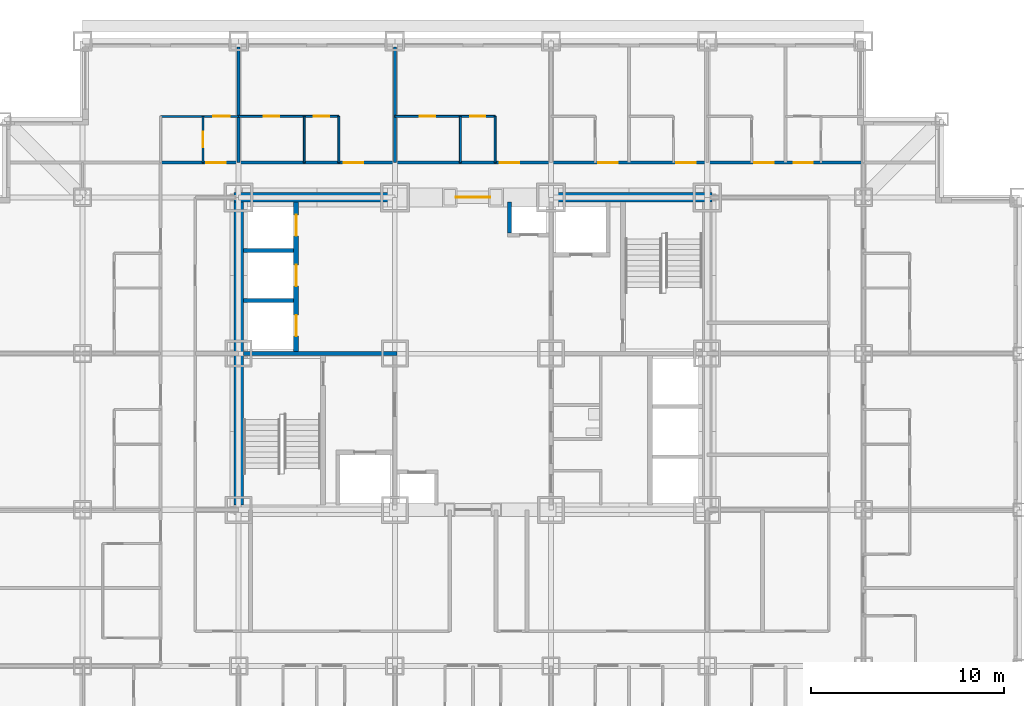
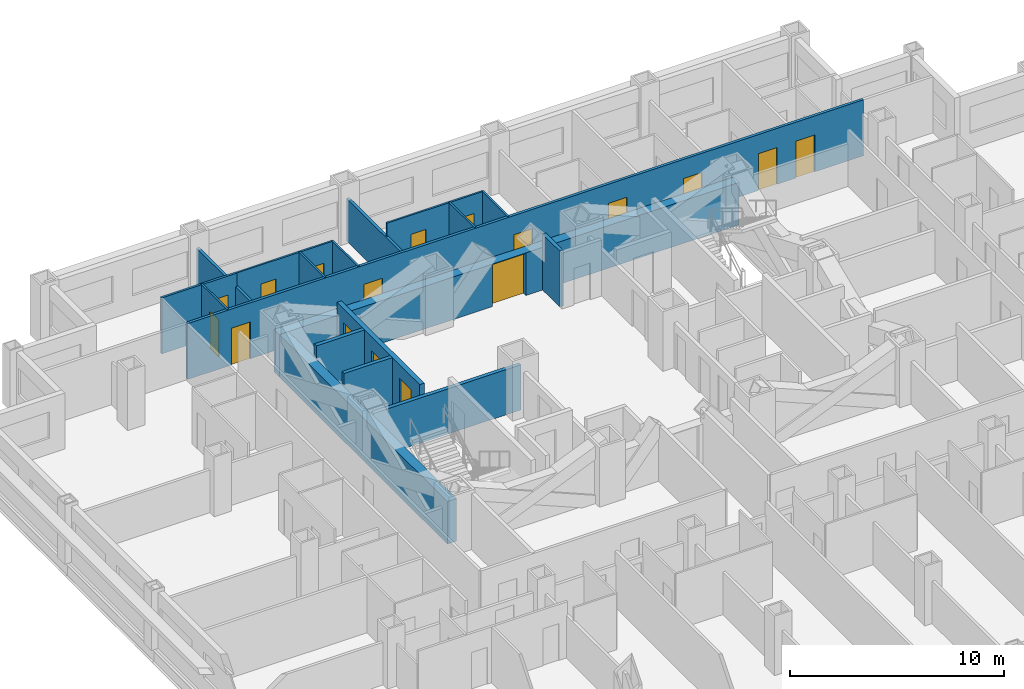
# One storey, part 8 of 12: 18 walls, 17 doors, 17 openings.
"""IFC4 building model written with IfcOpenShell, lengths in metres."""

import ifcopenshell
import ifcopenshell.guid

model = None  # the IFC model being written
_history = None  # IfcOwnerHistory: only IFC2X3 demands one
_inside = {}  # id of a spatial element -> (the spatial element, [elements in it])
_under = {}  # id of a project, library or spatial element -> (it, [spatial elements below it])
_declared = {}  # id of a project -> (the project, [libraries it declares])
_typed = {}  # id of a type object -> (the type object, [elements of that type])
_made_of = {}  # id of a material, layer set ... -> (it, [elements and type objects made of it])


def new_model(schema):
    """Start an empty IFC model of exactly this schema.

    Asked for "IFC4X3", IfcOpenShell would pick the latest addendum, in which some entities
    have other attributes; the version numbers below select the first issue.
    IFC2X3 requires an IfcOwnerHistory on every rooted entity: one is made here for all.
    """
    global model, _history
    if schema == "IFC4X3":
        model = ifcopenshell.file(schema_version=(4, 3, 0, 0))
    else:
        model = ifcopenshell.file(schema=schema)
    _inside.clear()
    _under.clear()
    _declared.clear()
    _typed.clear()
    _made_of.clear()
    _history = None
    if model.schema == "IFC2X3":
        org = make("IfcOrganization", Name="unknown")
        user = make(
            "IfcPersonAndOrganization",
            ThePerson=make("IfcPerson", FamilyName="unknown"),
            TheOrganization=org,
        )
        app = make(
            "IfcApplication",
            ApplicationDeveloper=org,
            Version="unknown",
            ApplicationFullName="unknown",
            ApplicationIdentifier="unknown",
        )
        _history = make(
            "IfcOwnerHistory",
            OwningUser=user,
            OwningApplication=app,
            ChangeAction="ADDED",
            CreationDate=0,
        )
    return model


def make(cls, **values):
    """One entity of the class cls with the attributes given. An attribute that is None is left unset."""
    return model.create_entity(
        cls, **{name: value for name, value in values.items() if value is not None}
    )


def rooted(cls, **values):
    """An entity with a GlobalId (a new one), such as an element, a storey or a relation."""
    return make(cls, GlobalId=ifcopenshell.guid.new(), OwnerHistory=_history, **values)


def si_unit(unit_type, name, prefix=None):
    """IfcSIUnit, for example si_unit("LENGTHUNIT", "METRE", prefix="MILLI")."""
    return make("IfcSIUnit", UnitType=unit_type, Prefix=prefix, Name=name)


def assignment(units):
    """IfcUnitAssignment: the units of a project."""
    return None if units is None else make("IfcUnitAssignment", Units=units)


def point(xyz):
    """IfcCartesianPoint."""
    return None if xyz is None else make("IfcCartesianPoint", Coordinates=xyz)


def direction(xyz):
    """IfcDirection."""
    return None if xyz is None else make("IfcDirection", DirectionRatios=xyz)


def frame(location, z_axis=None, x_axis=None):
    """IfcAxis2Placement3D, a coordinate frame: its origin and axes. An axis left out is left unset."""
    return make(
        "IfcAxis2Placement3D",
        Location=point(location),
        Axis=direction(z_axis),
        RefDirection=direction(x_axis),
    )


def frame_2d(location, x_axis=None):
    """IfcAxis2Placement2D, a coordinate frame in the plane: its origin and x axis."""
    return make(
        "IfcAxis2Placement2D", Location=point(location), RefDirection=direction(x_axis)
    )


def origin():
    """The frame at (0, 0, 0) with its axes left unset."""
    return frame((0.0, 0.0, 0.0))


def place(relative_to, where):
    """IfcLocalPlacement: puts the frame where relative to a parent placement (None: the world)."""
    return make(
        "IfcLocalPlacement", PlacementRelTo=relative_to, RelativePlacement=where
    )


def context(
    kind, dimensions, precision=None, world=None, true_north=None, identifier=None
):
    """IfcGeometricRepresentationContext, for example the 3D "Model" context."""
    return make(
        "IfcGeometricRepresentationContext",
        ContextIdentifier=identifier,
        ContextType=kind,
        CoordinateSpaceDimension=dimensions,
        Precision=precision,
        WorldCoordinateSystem=world,
        TrueNorth=true_north,
    )


def subcontext(parent, identifier, kind, view, scale=None):
    """IfcGeometricRepresentationSubContext, for example "Body" below "Model"."""
    return make(
        "IfcGeometricRepresentationSubContext",
        ContextIdentifier=identifier,
        ContextType=kind,
        ParentContext=parent,
        TargetScale=scale,
        TargetView=view,
    )


def project(units=None, contexts=None):
    """IfcProject with its units and contexts."""
    return rooted(
        "IfcProject",
        Name="project",
        RepresentationContexts=contexts,
        UnitsInContext=assignment(units),
    )


def spatial(cls, under=None, at=None, **own):
    """A site, building, storey or space (cls), placed at a placement, below another one or the project."""
    s = rooted(cls, ObjectPlacement=at, **own)
    if under is not None:
        _under.setdefault(under.id(), (under, []))[1].append(s)
    return s


def profile(cls, at=None, kind="AREA", **sizes):
    """A parametric profile (cls). Its sizes go by their IFC names, for example OverallWidth=200.0."""
    return make(cls, ProfileType=kind, Position=at, **sizes)


def rectangle(**sizes):
    """IfcRectangleProfileDef."""
    return profile("IfcRectangleProfileDef", **sizes)


def extrude(swept, where, along, depth):
    """IfcExtrudedAreaSolid: the profile swept, set in the frame where, extruded along a direction by depth."""
    return make(
        "IfcExtrudedAreaSolid",
        SweptArea=swept,
        Position=where,
        ExtrudedDirection=direction(along),
        Depth=depth,
    )


def shape(context_of_items, identifier, shape_type, items):
    """IfcShapeRepresentation: the items that make up one representation, for example the "Body"."""
    return make(
        "IfcShapeRepresentation",
        ContextOfItems=context_of_items,
        RepresentationIdentifier=identifier,
        RepresentationType=shape_type,
        Items=items,
    )


def material(Name=None, Category=None):
    """IfcMaterial."""
    return make("IfcMaterial", Name=Name, Category=Category)


def layer(
    of_material, thickness, ventilated=None, Name=None, Category=None, Priority=None
):
    """IfcMaterialLayer: one layer of a wall or slab, of a material (None: an air gap)."""
    return make(
        "IfcMaterialLayer",
        Material=of_material,
        LayerThickness=thickness,
        IsVentilated=ventilated,
        Name=Name,
        Category=Category,
        Priority=Priority,
    )


def layer_set(layers, Name=None):
    """IfcMaterialLayerSet."""
    return make("IfcMaterialLayerSet", MaterialLayers=layers, LayerSetName=Name)


def made_of(thing, what):
    """Note that an element or type object is made of a material, layer set ...; save() writes the relation."""
    if what is not None:
        _made_of.setdefault(what.id(), (what, []))[1].append(thing)
    return thing


def type_object(cls, material=None, **own):
    """A type object (cls), such as IfcWallType, which elements share."""
    return made_of(rooted(cls, **own), material)


def element(
    cls,
    number,
    at=None,
    inside=None,
    cuts=None,
    type_object=None,
    material=None,
    context=None,
    identifier="Body",
    shape_type=None,
    held_by="IfcProductDefinitionShape",
    body=None,
    shapes=None,
    **own,
):
    """One element of the class cls, such as IfcWall. Its Tag is "e" and its number.

    at: its placement. inside: the storey or other place that contains it. cuts: it is an
    opening in that element (IfcRelVoidsElement). A single representation is given by context,
    identifier, shape_type and body (its items); several are given by shapes. held_by: the class
    of the entity that holds the representations. save() writes the other relations.
    """
    e = rooted(cls, Tag="e%d" % number, ObjectPlacement=at, **own)
    if body is not None:
        shapes = [shape(context, identifier, shape_type, body)]
    if shapes is not None:
        e.Representation = make(held_by, Representations=shapes)
    if inside is not None:
        _inside.setdefault(inside.id(), (inside, []))[1].append(e)
    if cuts is not None:
        rooted(
            "IfcRelVoidsElement", RelatingBuildingElement=cuts, RelatedOpeningElement=e
        )
    if type_object is not None:
        _typed.setdefault(type_object.id(), (type_object, []))[1].append(e)
    return made_of(e, material)


def fill(opening, filler):
    """IfcRelFillsElement: the door or window that sits in an opening."""
    return rooted(
        "IfcRelFillsElement",
        RelatingOpeningElement=opening,
        RelatedBuildingElement=filler,
    )


def aggregate(whole, parts):
    """IfcRelAggregates: a whole, such as a stair, and the parts it consists of."""
    return rooted("IfcRelAggregates", RelatingObject=whole, RelatedObjects=parts)


def save(model, path):
    """Write the relations noted so far, then the file.

    IfcRelAggregates (storeys below a building ...), IfcRelContainedInSpatialStructure (elements
    in a storey), IfcRelDefinesByType, IfcRelAssociatesMaterial and IfcRelDeclares: one each for
    every whole, place, type object, material and project.
    """
    for whole, parts in _under.values():
        aggregate(whole, parts)
    for where, things in _inside.values():
        rooted(
            "IfcRelContainedInSpatialStructure",
            RelatedElements=things,
            RelatingStructure=where,
        )
    for kind, things in _typed.values():
        rooted("IfcRelDefinesByType", RelatedObjects=things, RelatingType=kind)
    for what, things in _made_of.values():
        rooted("IfcRelAssociatesMaterial", RelatedObjects=things, RelatingMaterial=what)
    for by, libraries in _declared.values():
        rooted("IfcRelDeclares", RelatingContext=by, RelatedDefinitions=libraries)
    model.write(path)


model = new_model("IFC4")

# Units and contexts
model_context = context("Model", 3, precision=1e-05, world=origin(), true_north=direction((0.0, 1.0)))
body_context = subcontext(model_context, "Body", "Model", "MODEL_VIEW")
ifc_project = project(units=[si_unit("LENGTHUNIT", "METRE"), si_unit("AREAUNIT", "SQUARE_METRE"), si_unit("VOLUMEUNIT", "CUBIC_METRE"), si_unit("PLANEANGLEUNIT", "RADIAN"), si_unit("MASSUNIT", "GRAM", prefix="KILO")], contexts=[model_context])

# Site, building, storey
site_placement = place(None, origin())
site = spatial("IfcSite", under=ifc_project, at=site_placement, CompositionType="ELEMENT")
building_placement = place(site_placement, origin())
building = spatial("IfcBuilding", under=site, at=building_placement, Name="Kopane Lantern Tower", CompositionType="ELEMENT")
storey_placement = place(building_placement, frame((0.0, 0.0, 80.60009765625)))
storey = spatial("IfcBuildingStorey", under=building, at=storey_placement, Name="L20", CompositionType="ELEMENT", Elevation=80.60009765625)

# Wall, opening, door
ifc_material_1 = material(Name="Gypsum board on steel studs", Category="steel")
ifc_layer_1 = layer(ifc_material_1, 0.1201171875)
ifc_layer_set_1 = layer_set([ifc_layer_1], Name="APARTMENT INTERNAL WALL 120")
wall_type_1 = type_object("IfcWallType", Name="APARTMENT INTERNAL WALL 120", PredefinedType="PARTITIONING", material=ifc_layer_set_1)
wall_1_placement = place(storey_placement, frame((12.14990234375, 44.699951171875, 0.0), z_axis=(0.0, 0.0, 1.0), x_axis=(1.0, 0.0, 0.0)))
wall_1 = element("IfcWall", 1, at=wall_1_placement, inside=storey, type_object=wall_type_1, Name="Apartment Internal Wall 120 L20", PredefinedType="PARTITIONING", context=body_context, shape_type="SweptSolid", body=[
    extrude(rectangle(XDim=4.050048828125, YDim=0.1201171875, at=frame_2d((2.02490234375, 0.0))), origin(), (0.0, 0.0, 1.0), 3.18994140625),
])
opening_1_placement = place(wall_1_placement, frame((2.72509765625, 0.0, 0.0)))
opening_1 = element("IfcOpeningElement", 2, at=opening_1_placement, cuts=wall_1, Name="Opening L20-072", PredefinedType="OPENING", context=body_context, shape_type="SweptSolid", body=[
    extrude(rectangle(XDim=0.85009765625, YDim=2.10009765625, at=frame_2d((0.425048828125, 1.050048828125))), frame((0.0, 0.070068359375, 0.0), z_axis=(0.0, -1.0, 0.0), x_axis=(1.0, 0.0, 0.0)), (0.0, 0.0, 1.0), 0.14013671875),
])
ifc_material_2 = material(Name="Timber door set", Category="wood")
door_type_1 = type_object("IfcDoorType", Name="DOOR D4 850x2100", OperationType="SINGLE_SWING_LEFT", PredefinedType="DOOR", material=ifc_material_2)
door_1_placement = place(opening_1_placement, origin())
door_1 = element("IfcDoor", 3, at=door_1_placement, inside=storey, type_object=door_type_1, Name="Door L20-072", OperationType="SINGLE_SWING_LEFT", OverallHeight=2.10009765625, OverallWidth=0.85009765625, PredefinedType="DOOR", context=body_context, shape_type="SweptSolid", body=[
    extrude(rectangle(XDim=0.85009765625, YDim=2.10009765625, at=frame_2d((0.425048828125, 1.050048828125))), frame((0.0, 0.02490234375, 0.0), z_axis=(0.0, -1.0, 0.0), x_axis=(1.0, 0.0, 0.0)), (0.0, 0.0, 1.0), 0.050048828125),
])
fill(opening_1, door_1)

# Wall, openings, doors
ifc_material_3 = material(Name="Moisture-resistant board on steel studs", Category="steel")
ifc_layer_2 = layer(ifc_material_3, 0.10009765625)
ifc_layer_set_2 = layer_set([ifc_layer_2], Name="BATHROOM WALL 100")
wall_type_2 = type_object("IfcWallType", Name="BATHROOM WALL 100", PredefinedType="PARTITIONING", material=ifc_layer_set_2)
wall_2_placement = place(storey_placement, frame((16.199951171875, 44.699951171875, 0.0), z_axis=(0.0, 0.0, 1.0), x_axis=(1.0, 0.0, 0.0)))
wall_2 = element("IfcWall", 4, at=wall_2_placement, inside=storey, type_object=wall_type_2, Name="Bathroom Wall 100 L20", PredefinedType="PARTITIONING", context=body_context, shape_type="SweptSolid", body=[
    extrude(rectangle(XDim=5.199951171875, YDim=0.10009765625, at=frame_2d((2.60009765625, 0.0))), origin(), (0.0, 0.0, 1.0), 3.18994140625),
])
opening_2_placement = place(wall_2_placement, frame((1.300048828125, 0.0, 0.0)))
opening_2 = element("IfcOpeningElement", 5, at=opening_2_placement, cuts=wall_2, Name="Opening L20-027", PredefinedType="OPENING", context=body_context, shape_type="SweptSolid", body=[
    extrude(rectangle(XDim=0.800048828125, YDim=2.10009765625, at=frame_2d((0.39990234375, 1.050048828125))), frame((0.0, 0.06005859375, 0.0), z_axis=(0.0, -1.0, 0.0), x_axis=(1.0, 0.0, 0.0)), (0.0, 0.0, 1.0), 0.1201171875),
])
opening_3_placement = place(wall_2_placement, frame((3.89990234375, 0.0, 0.0)))
opening_3 = element("IfcOpeningElement", 6, at=opening_3_placement, cuts=wall_2, Name="Opening L20-028", PredefinedType="OPENING", context=body_context, shape_type="SweptSolid", body=[
    extrude(rectangle(XDim=0.800048828125, YDim=2.10009765625, at=frame_2d((0.39990234375, 1.050048828125))), frame((0.0, 0.06005859375, 0.0), z_axis=(0.0, -1.0, 0.0), x_axis=(1.0, 0.0, 0.0)), (0.0, 0.0, 1.0), 0.1201171875),
])
ifc_material_4 = material(Name="Timber door set", Category="wood")
door_type_2 = type_object("IfcDoorType", Name="DOOR D2 800x2100", OperationType="SINGLE_SWING_LEFT", PredefinedType="DOOR", material=ifc_material_4)
door_2_placement = place(opening_2_placement, origin())
door_2 = element("IfcDoor", 7, at=door_2_placement, inside=storey, type_object=door_type_2, Name="Door L20-027", OperationType="SINGLE_SWING_LEFT", OverallHeight=2.10009765625, OverallWidth=0.800048828125, PredefinedType="DOOR", context=body_context, shape_type="SweptSolid", body=[
    extrude(rectangle(XDim=0.800048828125, YDim=2.10009765625, at=frame_2d((0.39990234375, 1.050048828125))), frame((0.0, 0.02490234375, 0.0), z_axis=(0.0, -1.0, 0.0), x_axis=(1.0, 0.0, 0.0)), (0.0, 0.0, 1.0), 0.050048828125),
])
fill(opening_2, door_2)
door_3_placement = place(opening_3_placement, origin())
door_3 = element("IfcDoor", 8, at=door_3_placement, inside=storey, type_object=door_type_2, Name="Door L20-028", OperationType="SINGLE_SWING_LEFT", OverallHeight=2.10009765625, OverallWidth=0.800048828125, PredefinedType="DOOR", context=body_context, shape_type="SweptSolid", body=[
    extrude(rectangle(XDim=0.800048828125, YDim=2.10009765625, at=frame_2d((0.39990234375, 1.050048828125))), frame((0.0, 0.02490234375, 0.0), z_axis=(0.0, -1.0, 0.0), x_axis=(1.0, 0.0, 0.0)), (0.0, 0.0, 1.0), 0.050048828125),
])
fill(opening_3, door_3)

# Walls
for number, where, z_axis, x_axis, name in (
    (9, (19.60009765625, 42.300048828125, 0.0), (0.0, 0.0, 1.0), (0.0, 1.0, 0.0), "Bathroom Wall 100 L20"),
    (10, (21.39990234375, 42.300048828125, 0.0), (0.0, 0.0, 1.0), (0.0, 1.0, 0.0), "Bathroom Wall 100 L20"),
):
    element("IfcWall", number, at=place(storey_placement, frame(where, z_axis=z_axis, x_axis=x_axis)), inside=storey, type_object=wall_type_2, Name=name, PredefinedType="PARTITIONING", context=body_context, shape_type="SweptSolid", body=[
        extrude(rectangle(XDim=2.39990234375, YDim=0.10009765625, at=frame_2d((1.199951171875, 0.0))), origin(), (0.0, 0.0, 1.0), 3.18994140625),
    ])

# Wall, openings, doors
wall_3_placement = place(storey_placement, frame((24.300048828125, 44.699951171875, 0.0), z_axis=(0.0, 0.0, 1.0), x_axis=(1.0, 0.0, 0.0)))
wall_3 = element("IfcWall", 11, at=wall_3_placement, inside=storey, type_object=wall_type_2, Name="Bathroom Wall 100 L20", PredefinedType="PARTITIONING", context=body_context, shape_type="SweptSolid", body=[
    extrude(rectangle(XDim=5.199951171875, YDim=0.10009765625, at=frame_2d((2.60009765625, 0.0))), origin(), (0.0, 0.0, 1.0), 3.18994140625),
])
opening_4_placement = place(wall_3_placement, frame((1.300048828125, 0.0, 0.0)))
opening_4 = element("IfcOpeningElement", 12, at=opening_4_placement, cuts=wall_3, Name="Opening L20-030", PredefinedType="OPENING", context=body_context, shape_type="SweptSolid", body=[
    extrude(rectangle(XDim=0.800048828125, YDim=2.10009765625, at=frame_2d((0.39990234375, 1.050048828125))), frame((0.0, 0.06005859375, 0.0), z_axis=(0.0, -1.0, 0.0), x_axis=(1.0, 0.0, 0.0)), (0.0, 0.0, 1.0), 0.1201171875),
])
opening_5_placement = place(wall_3_placement, frame((3.89990234375, 0.0, 0.0)))
opening_5 = element("IfcOpeningElement", 13, at=opening_5_placement, cuts=wall_3, Name="Opening L20-031", PredefinedType="OPENING", context=body_context, shape_type="SweptSolid", body=[
    extrude(rectangle(XDim=0.800048828125, YDim=2.10009765625, at=frame_2d((0.39990234375, 1.050048828125))), frame((0.0, 0.06005859375, 0.0), z_axis=(0.0, -1.0, 0.0), x_axis=(1.0, 0.0, 0.0)), (0.0, 0.0, 1.0), 0.1201171875),
])
door_4_placement = place(opening_4_placement, origin())
door_4 = element("IfcDoor", 14, at=door_4_placement, inside=storey, type_object=door_type_2, Name="Door L20-030", OperationType="SINGLE_SWING_LEFT", OverallHeight=2.10009765625, OverallWidth=0.800048828125, PredefinedType="DOOR", context=body_context, shape_type="SweptSolid", body=[
    extrude(rectangle(XDim=0.800048828125, YDim=2.10009765625, at=frame_2d((0.39990234375, 1.050048828125))), frame((0.0, 0.02490234375, 0.0), z_axis=(0.0, -1.0, 0.0), x_axis=(1.0, 0.0, 0.0)), (0.0, 0.0, 1.0), 0.050048828125),
])
fill(opening_4, door_4)
door_5_placement = place(opening_5_placement, origin())
door_5 = element("IfcDoor", 15, at=door_5_placement, inside=storey, type_object=door_type_2, Name="Door L20-031", OperationType="SINGLE_SWING_LEFT", OverallHeight=2.10009765625, OverallWidth=0.800048828125, PredefinedType="DOOR", context=body_context, shape_type="SweptSolid", body=[
    extrude(rectangle(XDim=0.800048828125, YDim=2.10009765625, at=frame_2d((0.39990234375, 1.050048828125))), frame((0.0, 0.02490234375, 0.0), z_axis=(0.0, -1.0, 0.0), x_axis=(1.0, 0.0, 0.0)), (0.0, 0.0, 1.0), 0.050048828125),
])
fill(opening_5, door_5)

# Walls
for number, where, z_axis, x_axis, name in (
    (16, (27.699951171875, 42.300048828125, 0.0), (0.0, 0.0, 1.0), (0.0, 1.0, 0.0), "Bathroom Wall 100 L20"),
    (17, (29.5, 42.300048828125, 0.0), (0.0, 0.0, 1.0), (0.0, 1.0, 0.0), "Bathroom Wall 100 L20"),
):
    element("IfcWall", number, at=place(storey_placement, frame(where, z_axis=z_axis, x_axis=x_axis)), inside=storey, type_object=wall_type_2, Name=name, PredefinedType="PARTITIONING", context=body_context, shape_type="SweptSolid", body=[
        extrude(rectangle(XDim=2.39990234375, YDim=0.10009765625, at=frame_2d((1.199951171875, 0.0))), origin(), (0.0, 0.0, 1.0), 3.18994140625),
    ])

# Wall, opening, door
wall_4_placement = place(storey_placement, frame((14.35009765625, 42.300048828125, 0.0), z_axis=(0.0, 0.0, 1.0), x_axis=(0.0, 1.0, 0.0)))
wall_4 = element("IfcWall", 18, at=wall_4_placement, inside=storey, type_object=wall_type_2, Name="Bathroom Wall 100 L20", PredefinedType="PARTITIONING", context=body_context, shape_type="SweptSolid", body=[
    extrude(rectangle(XDim=2.39990234375, YDim=0.10009765625, at=frame_2d((1.199951171875, 0.0))), origin(), (0.0, 0.0, 1.0), 3.18994140625),
])
opening_6_placement = place(wall_4_placement, frame((0.800048828125, 0.0, 0.0)))
opening_6 = element("IfcOpeningElement", 19, at=opening_6_placement, cuts=wall_4, Name="Opening L20-070", PredefinedType="OPENING", context=body_context, shape_type="SweptSolid", body=[
    extrude(rectangle(XDim=0.800048828125, YDim=2.10009765625, at=frame_2d((0.39990234375, 1.050048828125))), frame((0.0, 0.06005859375, 0.0), z_axis=(0.0, -1.0, 0.0), x_axis=(1.0, 0.0, 0.0)), (0.0, 0.0, 1.0), 0.1201171875),
])
door_6_placement = place(opening_6_placement, origin())
door_6 = element("IfcDoor", 20, at=door_6_placement, inside=storey, type_object=door_type_2, Name="Door L20-070", OperationType="SINGLE_SWING_LEFT", OverallHeight=2.10009765625, OverallWidth=0.800048828125, PredefinedType="DOOR", context=body_context, shape_type="SweptSolid", body=[
    extrude(rectangle(XDim=0.800048828125, YDim=2.10009765625, at=frame_2d((0.39990234375, 1.050048828125))), frame((0.0, 0.02490234375, 0.0), z_axis=(0.0, -1.0, 0.0), x_axis=(1.0, 0.0, 0.0)), (0.0, 0.0, 1.0), 0.050048828125),
])
fill(opening_6, door_6)

ifc_material_5 = material(Name="Gypsum shaft wall EI 120", Category="gypsum")
ifc_layer_3 = layer(ifc_material_5, 0.5)
ifc_layer_set_3 = layer_set([ifc_layer_3], Name="CORE PERIMETER WALL 500 EI 120")
wall_type_3 = type_object("IfcWallType", Name="CORE PERIMETER WALL 500 EI 120", PredefinedType="SOLIDWALL", material=ifc_layer_set_3)
wall_5_placement = place(storey_placement, frame((15.949951171875, 40.5, 0.0), z_axis=(0.0, 0.0, 1.0), x_axis=(1.0, 0.0, 0.0)))
wall_5 = element("IfcWall", 21, at=wall_5_placement, inside=storey, type_object=wall_type_3, Name="Core shaft wall L20 PN", PredefinedType="SOLIDWALL", context=body_context, shape_type="SweptSolid", body=[
    extrude(rectangle(XDim=24.800048828125, YDim=0.5, at=frame_2d((12.39990234375, 0.0))), origin(), (0.0, 0.0, 1.0), 2.427734375),
])
opening_7_placement = place(wall_5_placement, frame((11.5, 0.0, 0.0)))
opening_7 = element("IfcOpeningElement", 22, at=opening_7_placement, cuts=wall_5, Name="Opening 20.CE-N", PredefinedType="OPENING", context=body_context, shape_type="SweptSolid", body=[
    extrude(rectangle(XDim=1.800048828125, YDim=2.39990234375, at=frame_2d((0.89990234375, 1.199951171875))), frame((0.0, 0.260009765625, 0.0), z_axis=(0.0, -1.0, 0.0), x_axis=(1.0, 0.0, 0.0)), (0.0, 0.0, 1.0), 0.52001953125),
])
ifc_material_6 = material(Name="Steel door set", Category="steel")
door_type_3 = type_object("IfcDoorType", Name="CORE ENTRY DOOR 1800x2400 FD60S", OperationType="DOUBLE_DOOR_SINGLE_SWING", PredefinedType="DOOR", material=ifc_material_6)
door_7_placement = place(opening_7_placement, origin())
door_7 = element("IfcDoor", 23, at=door_7_placement, inside=storey, type_object=door_type_3, Name="Core entry door L20 north", OperationType="DOUBLE_DOOR_SINGLE_SWING", OverallHeight=2.39990234375, OverallWidth=1.800048828125, PredefinedType="DOOR", context=body_context, shape_type="SweptSolid", body=[
    extrude(rectangle(XDim=1.800048828125, YDim=2.39990234375, at=frame_2d((0.89990234375, 1.199951171875))), frame((0.0, 0.02490234375, 0.0), z_axis=(0.0, -1.0, 0.0), x_axis=(1.0, 0.0, 0.0)), (0.0, 0.0, 1.0), 0.050048828125),
])
fill(opening_7, door_7)

# Wall
wall_6_placement = place(storey_placement, frame((16.199951171875, 24.550048828125, 0.0), z_axis=(0.0, 0.0, 1.0), x_axis=(0.0, 1.0, 0.0)))
element("IfcWall", 24, at=wall_6_placement, inside=storey, type_object=wall_type_3, Name="Core shaft wall L20 PW", PredefinedType="SOLIDWALL", context=body_context, shape_type="SweptSolid", body=[
    extrude(rectangle(XDim=15.699951171875, YDim=0.5, at=frame_2d((7.85009765625, 0.0))), origin(), (0.0, 0.0, 1.0), 2.427734375),
])

# Wall, openings, doors
ifc_material_7 = material(Name="Gypsum shaft wall EI 120", Category="gypsum")
ifc_layer_4 = layer(ifc_material_7, 0.25)
ifc_layer_set_4 = layer_set([ifc_layer_4], Name="CORE SHAFT WALL 250 EI 120")
wall_type_4 = type_object("IfcWallType", Name="CORE SHAFT WALL 250 EI 120", PredefinedType="SOLIDWALL", material=ifc_layer_set_4)
wall_7_placement = place(storey_placement, frame((19.175048828125, 32.5, 0.0), z_axis=(0.0, 0.0, 1.0), x_axis=(0.0, 1.0, 0.0)))
wall_7 = element("IfcWall", 25, at=wall_7_placement, inside=storey, type_object=wall_type_4, Name="Core shaft wall L20 XLH", PredefinedType="SOLIDWALL", context=body_context, shape_type="SweptSolid", body=[
    extrude(rectangle(XDim=7.75, YDim=0.25, at=frame_2d((3.875, 0.0))), origin(), (0.0, 0.0, 1.0), 3.18994140625),
])
opening_8_placement = place(wall_7_placement, frame((0.800048828125, 0.0, 0.0)))
opening_8 = element("IfcOpeningElement", 26, at=opening_8_placement, cuts=wall_7, Name="Opening 20.LD-LH1", PredefinedType="OPENING", context=body_context, shape_type="SweptSolid", body=[
    extrude(rectangle(XDim=1.10009765625, YDim=2.39990234375, at=frame_2d((0.550048828125, 1.199951171875))), frame((0.0, 0.135009765625, 0.0), z_axis=(0.0, -1.0, 0.0), x_axis=(1.0, 0.0, 0.0)), (0.0, 0.0, 1.0), 0.27001953125),
])
opening_9_placement = place(wall_7_placement, frame((3.39990234375, 0.0, 0.0)))
opening_9 = element("IfcOpeningElement", 27, at=opening_9_placement, cuts=wall_7, Name="Opening 20.LD-LH2", PredefinedType="OPENING", context=body_context, shape_type="SweptSolid", body=[
    extrude(rectangle(XDim=1.10009765625, YDim=2.39990234375, at=frame_2d((0.550048828125, 1.199951171875))), frame((0.0, 0.135009765625, 0.0), z_axis=(0.0, -1.0, 0.0), x_axis=(1.0, 0.0, 0.0)), (0.0, 0.0, 1.0), 0.27001953125),
])
opening_10_placement = place(wall_7_placement, frame((6.0, 0.0, 0.0)))
opening_10 = element("IfcOpeningElement", 28, at=opening_10_placement, cuts=wall_7, Name="Opening 20.LD-LH3", PredefinedType="OPENING", context=body_context, shape_type="SweptSolid", body=[
    extrude(rectangle(XDim=1.10009765625, YDim=2.39990234375, at=frame_2d((0.550048828125, 1.199951171875))), frame((0.0, 0.135009765625, 0.0), z_axis=(0.0, -1.0, 0.0), x_axis=(1.0, 0.0, 0.0)), (0.0, 0.0, 1.0), 0.27001953125),
])
ifc_material_8 = material(Name="Steel door set", Category="steel")
door_type_4 = type_object("IfcDoorType", Name="LIFT LANDING DOOR 1100x2400 FD60", OperationType="DOUBLE_DOOR_SLIDING", PredefinedType="DOOR", material=ifc_material_8)
door_8_placement = place(opening_8_placement, origin())
door_8 = element("IfcDoor", 29, at=door_8_placement, inside=storey, type_object=door_type_4, Name="Landing door LH1 L20", OperationType="DOUBLE_DOOR_SLIDING", OverallHeight=2.39990234375, OverallWidth=1.10009765625, PredefinedType="DOOR", context=body_context, shape_type="SweptSolid", body=[
    extrude(rectangle(XDim=1.10009765625, YDim=2.39990234375, at=frame_2d((0.550048828125, 1.199951171875))), frame((0.0, 0.02490234375, 0.0), z_axis=(0.0, -1.0, 0.0), x_axis=(1.0, 0.0, 0.0)), (0.0, 0.0, 1.0), 0.050048828125),
])
fill(opening_8, door_8)
door_9_placement = place(opening_9_placement, origin())
door_9 = element("IfcDoor", 30, at=door_9_placement, inside=storey, type_object=door_type_4, Name="Landing door LH2 L20", OperationType="DOUBLE_DOOR_SLIDING", OverallHeight=2.39990234375, OverallWidth=1.10009765625, PredefinedType="DOOR", context=body_context, shape_type="SweptSolid", body=[
    extrude(rectangle(XDim=1.10009765625, YDim=2.39990234375, at=frame_2d((0.550048828125, 1.199951171875))), frame((0.0, 0.02490234375, 0.0), z_axis=(0.0, -1.0, 0.0), x_axis=(1.0, 0.0, 0.0)), (0.0, 0.0, 1.0), 0.050048828125),
])
fill(opening_9, door_9)
door_10_placement = place(opening_10_placement, origin())
door_10 = element("IfcDoor", 31, at=door_10_placement, inside=storey, type_object=door_type_4, Name="Landing door LH3 L20", OperationType="DOUBLE_DOOR_SLIDING", OverallHeight=2.39990234375, OverallWidth=1.10009765625, PredefinedType="DOOR", context=body_context, shape_type="SweptSolid", body=[
    extrude(rectangle(XDim=1.10009765625, YDim=2.39990234375, at=frame_2d((0.550048828125, 1.199951171875))), frame((0.0, 0.02490234375, 0.0), z_axis=(0.0, -1.0, 0.0), x_axis=(1.0, 0.0, 0.0)), (0.0, 0.0, 1.0), 0.050048828125),
])
fill(opening_10, door_10)

ifc_material_9 = material(Name="Gypsum board on steel studs", Category="steel")
ifc_layer_5 = layer(ifc_material_9, 0.14990234375)
ifc_layer_set_5 = layer_set([ifc_layer_5], Name="CORRIDOR WALL 150 EI 60")
wall_type_5 = type_object("IfcWallType", Name="CORRIDOR WALL 150 EI 60", PredefinedType="PARTITIONING", material=ifc_layer_set_5)
wall_8_placement = place(storey_placement, frame((12.14990234375, 42.300048828125, 0.0), z_axis=(0.0, 0.0, 1.0), x_axis=(1.0, 0.0, 0.0)))
wall_8 = element("IfcWall", 32, at=wall_8_placement, inside=storey, type_object=wall_type_5, Name="Corridor Wall 150 Ei 60 L20", PredefinedType="PARTITIONING", context=body_context, shape_type="SweptSolid", body=[
    extrude(rectangle(XDim=36.4501953125, YDim=0.14990234375, at=frame_2d((18.22509765625, 0.0))), origin(), (0.0, 0.0, 1.0), 3.18994140625),
])
opening_11_placement = place(wall_8_placement, frame((9.5, 0.0, 0.0)))
opening_11 = element("IfcOpeningElement", 33, at=opening_11_placement, cuts=wall_8, Name="Opening L20-029", PredefinedType="OPENING", context=body_context, shape_type="SweptSolid", body=[
    extrude(rectangle(XDim=1.0, YDim=2.10009765625, at=frame_2d((0.5, 1.050048828125))), frame((0.0, 0.0849609375, 0.0), z_axis=(0.0, -1.0, 0.0), x_axis=(1.0, 0.0, 0.0)), (0.0, 0.0, 1.0), 0.169921875),
])
opening_12_placement = place(wall_8_placement, frame((17.60009765625, 0.0, 0.0)))
opening_12 = element("IfcOpeningElement", 34, at=opening_12_placement, cuts=wall_8, Name="Opening L20-032", PredefinedType="OPENING", context=body_context, shape_type="SweptSolid", body=[
    extrude(rectangle(XDim=1.0, YDim=2.10009765625, at=frame_2d((0.5, 1.050048828125))), frame((0.0, 0.0849609375, 0.0), z_axis=(0.0, -1.0, 0.0), x_axis=(1.0, 0.0, 0.0)), (0.0, 0.0, 1.0), 0.169921875),
])
opening_13_placement = place(wall_8_placement, frame((22.699951171875, 0.0, 0.0)))
opening_13 = element("IfcOpeningElement", 35, at=opening_13_placement, cuts=wall_8, Name="Opening L20-034", PredefinedType="OPENING", context=body_context, shape_type="SweptSolid", body=[
    extrude(rectangle(XDim=1.0, YDim=2.10009765625, at=frame_2d((0.5, 1.050048828125))), frame((0.0, 0.0849609375, 0.0), z_axis=(0.0, -1.0, 0.0), x_axis=(1.0, 0.0, 0.0)), (0.0, 0.0, 1.0), 0.169921875),
])
opening_14_placement = place(wall_8_placement, frame((26.75, 0.0, 0.0)))
opening_14 = element("IfcOpeningElement", 36, at=opening_14_placement, cuts=wall_8, Name="Opening L20-036", PredefinedType="OPENING", context=body_context, shape_type="SweptSolid", body=[
    extrude(rectangle(XDim=1.0, YDim=2.10009765625, at=frame_2d((0.5, 1.050048828125))), frame((0.0, 0.0849609375, 0.0), z_axis=(0.0, -1.0, 0.0), x_axis=(1.0, 0.0, 0.0)), (0.0, 0.0, 1.0), 0.169921875),
])
opening_15_placement = place(wall_8_placement, frame((30.800048828125, 0.0, 0.0)))
opening_15 = element("IfcOpeningElement", 37, at=opening_15_placement, cuts=wall_8, Name="Opening L20-038", PredefinedType="OPENING", context=body_context, shape_type="SweptSolid", body=[
    extrude(rectangle(XDim=1.0, YDim=2.10009765625, at=frame_2d((0.5, 1.050048828125))), frame((0.0, 0.0849609375, 0.0), z_axis=(0.0, -1.0, 0.0), x_axis=(1.0, 0.0, 0.0)), (0.0, 0.0, 1.0), 0.169921875),
])
opening_16_placement = place(wall_8_placement, frame((32.824951171875, 0.0, 0.0)))
opening_16 = element("IfcOpeningElement", 38, at=opening_16_placement, cuts=wall_8, Name="Opening L20-068", PredefinedType="OPENING", context=body_context, shape_type="SweptSolid", body=[
    extrude(rectangle(XDim=1.0, YDim=2.10009765625, at=frame_2d((0.5, 1.050048828125))), frame((0.0, 0.0849609375, 0.0), z_axis=(0.0, -1.0, 0.0), x_axis=(1.0, 0.0, 0.0)), (0.0, 0.0, 1.0), 0.169921875),
])
opening_17_placement = place(wall_8_placement, frame((2.375, 0.0, 0.0)))
opening_17 = element("IfcOpeningElement", 39, at=opening_17_placement, cuts=wall_8, Name="Opening L20-071", PredefinedType="OPENING", context=body_context, shape_type="SweptSolid", body=[
    extrude(rectangle(XDim=1.0, YDim=2.10009765625, at=frame_2d((0.5, 1.050048828125))), frame((0.0, 0.0849609375, 0.0), z_axis=(0.0, -1.0, 0.0), x_axis=(1.0, 0.0, 0.0)), (0.0, 0.0, 1.0), 0.169921875),
])
ifc_material_10 = material(Name="Steel door set", Category="steel")
door_type_5 = type_object("IfcDoorType", Name="DOOR D1 1000x2100 FD30S", OperationType="SINGLE_SWING_LEFT", PredefinedType="DOOR", material=ifc_material_10)
door_11_placement = place(opening_11_placement, origin())
door_11 = element("IfcDoor", 40, at=door_11_placement, inside=storey, type_object=door_type_5, Name="Door L20-029", OperationType="SINGLE_SWING_LEFT", OverallHeight=2.10009765625, OverallWidth=1.0, PredefinedType="DOOR", context=body_context, shape_type="SweptSolid", body=[
    extrude(rectangle(XDim=1.0, YDim=2.10009765625, at=frame_2d((0.5, 1.050048828125))), frame((0.0, 0.02490234375, 0.0), z_axis=(0.0, -1.0, 0.0), x_axis=(1.0, 0.0, 0.0)), (0.0, 0.0, 1.0), 0.050048828125),
])
fill(opening_11, door_11)
door_12_placement = place(opening_12_placement, origin())
door_12 = element("IfcDoor", 41, at=door_12_placement, inside=storey, type_object=door_type_5, Name="Door L20-032", OperationType="SINGLE_SWING_LEFT", OverallHeight=2.10009765625, OverallWidth=1.0, PredefinedType="DOOR", context=body_context, shape_type="SweptSolid", body=[
    extrude(rectangle(XDim=1.0, YDim=2.10009765625, at=frame_2d((0.5, 1.050048828125))), frame((0.0, 0.02490234375, 0.0), z_axis=(0.0, -1.0, 0.0), x_axis=(1.0, 0.0, 0.0)), (0.0, 0.0, 1.0), 0.050048828125),
])
fill(opening_12, door_12)
door_13_placement = place(opening_13_placement, origin())
door_13 = element("IfcDoor", 42, at=door_13_placement, inside=storey, type_object=door_type_5, Name="Door L20-034", OperationType="SINGLE_SWING_LEFT", OverallHeight=2.10009765625, OverallWidth=1.0, PredefinedType="DOOR", context=body_context, shape_type="SweptSolid", body=[
    extrude(rectangle(XDim=1.0, YDim=2.10009765625, at=frame_2d((0.5, 1.050048828125))), frame((0.0, 0.02490234375, 0.0), z_axis=(0.0, -1.0, 0.0), x_axis=(1.0, 0.0, 0.0)), (0.0, 0.0, 1.0), 0.050048828125),
])
fill(opening_13, door_13)
door_14_placement = place(opening_14_placement, origin())
door_14 = element("IfcDoor", 43, at=door_14_placement, inside=storey, type_object=door_type_5, Name="Door L20-036", OperationType="SINGLE_SWING_LEFT", OverallHeight=2.10009765625, OverallWidth=1.0, PredefinedType="DOOR", context=body_context, shape_type="SweptSolid", body=[
    extrude(rectangle(XDim=1.0, YDim=2.10009765625, at=frame_2d((0.5, 1.050048828125))), frame((0.0, 0.02490234375, 0.0), z_axis=(0.0, -1.0, 0.0), x_axis=(1.0, 0.0, 0.0)), (0.0, 0.0, 1.0), 0.050048828125),
])
fill(opening_14, door_14)
door_15_placement = place(opening_15_placement, origin())
door_15 = element("IfcDoor", 44, at=door_15_placement, inside=storey, type_object=door_type_5, Name="Door L20-038", OperationType="SINGLE_SWING_LEFT", OverallHeight=2.10009765625, OverallWidth=1.0, PredefinedType="DOOR", context=body_context, shape_type="SweptSolid", body=[
    extrude(rectangle(XDim=1.0, YDim=2.10009765625, at=frame_2d((0.5, 1.050048828125))), frame((0.0, 0.02490234375, 0.0), z_axis=(0.0, -1.0, 0.0), x_axis=(1.0, 0.0, 0.0)), (0.0, 0.0, 1.0), 0.050048828125),
])
fill(opening_15, door_15)
door_16_placement = place(opening_16_placement, origin())
door_16 = element("IfcDoor", 45, at=door_16_placement, inside=storey, type_object=door_type_5, Name="Door L20-068", OperationType="SINGLE_SWING_LEFT", OverallHeight=2.10009765625, OverallWidth=1.0, PredefinedType="DOOR", context=body_context, shape_type="SweptSolid", body=[
    extrude(rectangle(XDim=1.0, YDim=2.10009765625, at=frame_2d((0.5, 1.050048828125))), frame((0.0, 0.02490234375, 0.0), z_axis=(0.0, -1.0, 0.0), x_axis=(1.0, 0.0, 0.0)), (0.0, 0.0, 1.0), 0.050048828125),
])
fill(opening_16, door_16)
door_17_placement = place(opening_17_placement, origin())
door_17 = element("IfcDoor", 46, at=door_17_placement, inside=storey, type_object=door_type_5, Name="Door L20-071", OperationType="SINGLE_SWING_LEFT", OverallHeight=2.10009765625, OverallWidth=1.0, PredefinedType="DOOR", context=body_context, shape_type="SweptSolid", body=[
    extrude(rectangle(XDim=1.0, YDim=2.10009765625, at=frame_2d((0.5, 1.050048828125))), frame((0.0, 0.02490234375, 0.0), z_axis=(0.0, -1.0, 0.0), x_axis=(1.0, 0.0, 0.0)), (0.0, 0.0, 1.0), 0.050048828125),
])
fill(opening_17, door_17)

# Walls
ifc_material_11 = material(Name="Gypsum board on steel studs", Category="steel")
ifc_layer_6 = layer(ifc_material_11, 0.14990234375)
ifc_layer_set_6 = layer_set([ifc_layer_6], Name="DEMISING WALL 150 EI 60")
wall_type_6 = type_object("IfcWallType", Name="DEMISING WALL 150 EI 60", PredefinedType="PARTITIONING", material=ifc_layer_set_6)
for number, where, z_axis, x_axis, name in (
    (47, (24.300048828125, 42.300048828125, 0.0), (0.0, 0.0, 1.0), (0.0, 1.0, 0.0), "Demising Wall 150 Ei 60 L20"),
    (48, (16.199951171875, 42.300048828125, 0.0), (0.0, 0.0, 1.0), (0.0, 1.0, 0.0), "Demising Wall 150 Ei 60 L20"),
):
    element("IfcWall", number, at=place(storey_placement, frame(where, z_axis=z_axis, x_axis=x_axis)), inside=storey, type_object=wall_type_6, Name=name, PredefinedType="PARTITIONING", context=body_context, shape_type="SweptSolid", body=[
        extrude(rectangle(XDim=6.0, YDim=0.14990234375, at=frame_2d((3.0, 0.0))), origin(), (0.0, 0.0, 1.0), 2.427734375),
    ])
ifc_material_12 = material(Name="Gypsum shaft wall EI 120", Category="gypsum")
ifc_layer_7 = layer(ifc_material_12, 0.199951171875)
ifc_layer_set_7 = layer_set([ifc_layer_7], Name="SHAFT WALL 200 EI 120")
wall_type_7 = type_object("IfcWallType", Name="SHAFT WALL 200 EI 120", PredefinedType="SOLIDWALL", material=ifc_layer_set_7)
wall_9_placement = place(storey_placement, frame((16.449951171875, 32.39990234375, 0.0), z_axis=(0.0, 0.0, 1.0), x_axis=(1.0, 0.0, 0.0)))
element("IfcWall", 49, at=wall_9_placement, inside=storey, type_object=wall_type_7, Name="Core shaft wall L20 Y324W", PredefinedType="SOLIDWALL", context=body_context, shape_type="SweptSolid", body=[
    extrude(rectangle(XDim=7.949951171875, YDim=0.199951171875, at=frame_2d((3.97509765625, 0.0))), origin(), (0.0, 0.0, 1.0), 2.57763671875),
])
for number, where, z_axis, x_axis, name in (
    (50, (16.449951171875, 35.14990234375, 0.0), (0.0, 0.0, 1.0), (1.0, 0.0, 0.0), "Core shaft wall L20 YLH12"),
    (51, (16.449951171875, 37.75, 0.0), (0.0, 0.0, 1.0), (1.0, 0.0, 0.0), "Core shaft wall L20 YLH23"),
):
    element("IfcWall", number, at=place(storey_placement, frame(where, z_axis=z_axis, x_axis=x_axis)), inside=storey, type_object=wall_type_7, Name=name, PredefinedType="SOLIDWALL", context=body_context, shape_type="SweptSolid", body=[
        extrude(rectangle(XDim=2.60009765625, YDim=0.199951171875, at=frame_2d((1.300048828125, 0.0))), origin(), (0.0, 0.0, 1.0), 3.18994140625),
    ])
wall_10_placement = place(storey_placement, frame((30.25, 38.64990234375, 0.0), z_axis=(0.0, 0.0, 1.0), x_axis=(0.0, 1.0, 0.0)))
element("IfcWall", 52, at=wall_10_placement, inside=storey, type_object=wall_type_7, Name="Core shaft wall L20 XRS2", PredefinedType="SOLIDWALL", context=body_context, shape_type="SweptSolid", body=[
    extrude(rectangle(XDim=1.60009765625, YDim=0.199951171875, at=frame_2d((0.800048828125, 0.0))), origin(), (0.0, 0.0, 1.0), 3.18994140625),
])

save(model, "model.ifc")
